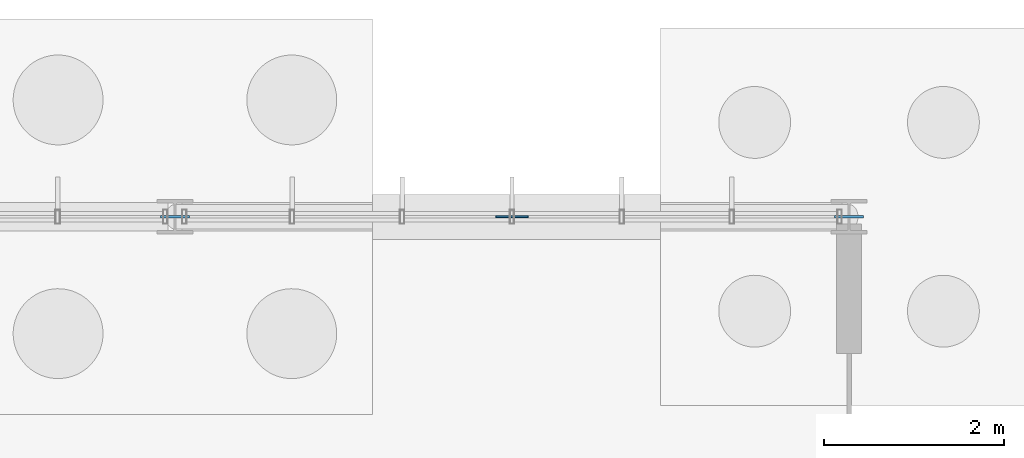
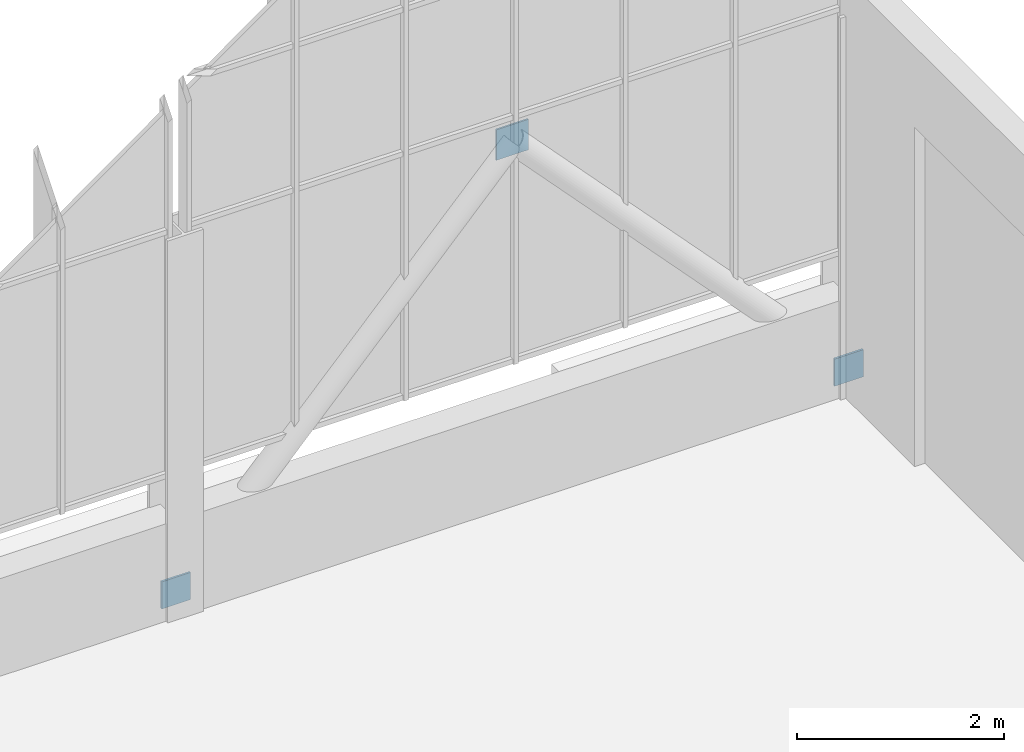
# One storey, part 105 of 136: 3 plates.
"""IFC4 building model written with IfcOpenShell, lengths in metres."""

from ifc_helpers import new_model, si_unit, direction, frame, origin, origin_2d, place, context, subcontext, project, spatial, rectangle, extrude, material, layer, layer_set, type_object, element, save


model = new_model("IFC4")

# Units and contexts
model_context = context("Model", 3, precision=1e-05, world=origin(), true_north=direction((0.0, 1.0)))
body_context = subcontext(model_context, "Body", "Model", "MODEL_VIEW")
ifc_project = project(units=[si_unit("LENGTHUNIT", "METRE"), si_unit("AREAUNIT", "SQUARE_METRE"), si_unit("VOLUMEUNIT", "CUBIC_METRE"), si_unit("PLANEANGLEUNIT", "RADIAN"), si_unit("MASSUNIT", "GRAM", prefix="KILO")], contexts=[model_context])

# Site, building, storey
site_placement = place(None, origin())
site = spatial("IfcSite", under=ifc_project, at=site_placement, CompositionType="ELEMENT")
building_placement = place(site_placement, origin())
building = spatial("IfcBuilding", under=site, at=building_placement, Name="Solvenia Promenade Tram Depot", CompositionType="ELEMENT")
storey_placement = place(building_placement, origin())
storey = spatial("IfcBuildingStorey", under=building, at=storey_placement, Name="L00", CompositionType="ELEMENT", Elevation=0.0)

# Plates
ifc_material = material(Name="Structural steel ASTM A572 Gr. 50", Category="steel")
ifc_layer_1 = layer(ifc_material, 0.02392578125, Name="Structural steel ASTM A572 Gr. 50", Category="steel")
ifc_layer_set_1 = layer_set([ifc_layer_1], Name="Structural steel ASTM A572 Gr. 50")
plate_type_1 = type_object("IfcPlateType", Name="EndCap-CP1", PredefinedType="SHEET", material=ifc_layer_set_1)
for number, where, z_axis, x_axis, name in (
    (1, (142.5, 126.0, 0.0400390625), (0.0, 0.0, 1.0), (1.0, 0.0, 0.0), "Chevron Left Foot Gusset Plate 04"),
    (2, (150.0, 126.0, 0.0400390625), (0.0, 0.0, 1.0), (1.0, 0.0, 0.0), "Chevron Right Foot Gusset Plate 04"),
):
    element("IfcPlate", number, at=place(storey_placement, frame(where, z_axis=z_axis, x_axis=x_axis)), inside=storey, type_object=plate_type_1, Name=name, PredefinedType="SHEET", context=body_context, shape_type="SweptSolid", body=[
        extrude(rectangle(XDim=0.320068359375, YDim=0.02392578125, at=origin_2d()), origin(), (0.0, 0.0, 1.0), 0.320068359375),
    ])
ifc_layer_2 = layer(ifc_material, 0.02197265625, Name="Structural steel ASTM A572 Gr. 50", Category="steel")
ifc_layer_set_2 = layer_set([ifc_layer_2], Name="Structural steel ASTM A572 Gr. 50")
plate_type_2 = type_object("IfcPlateType", Name="EndCap-CP2", PredefinedType="SHEET", material=ifc_layer_set_2)
plate_placement = place(storey_placement, frame((146.25, 126.0, 4.02001953125), z_axis=(0.0, 0.0, 1.0), x_axis=(1.0, 0.0, 0.0)))
element("IfcPlate", 3, at=plate_placement, inside=storey, type_object=plate_type_2, Name="Chevron Gusset Cap Plate 04", PredefinedType="SHEET", context=body_context, shape_type="SweptSolid", body=[
    extrude(rectangle(XDim=0.360107421875, YDim=0.02001953125, at=origin_2d()), origin(), (0.0, 0.0, 1.0), 0.360107421875),
])

save(model, "model.ifc")
